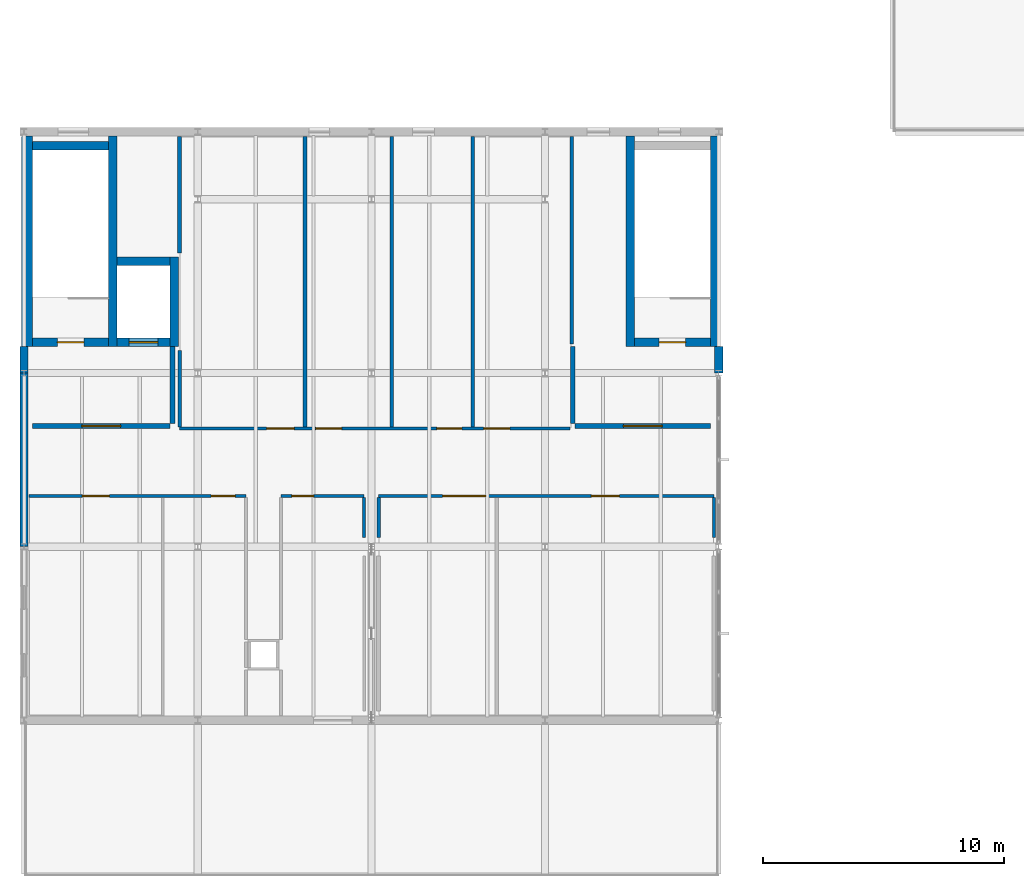
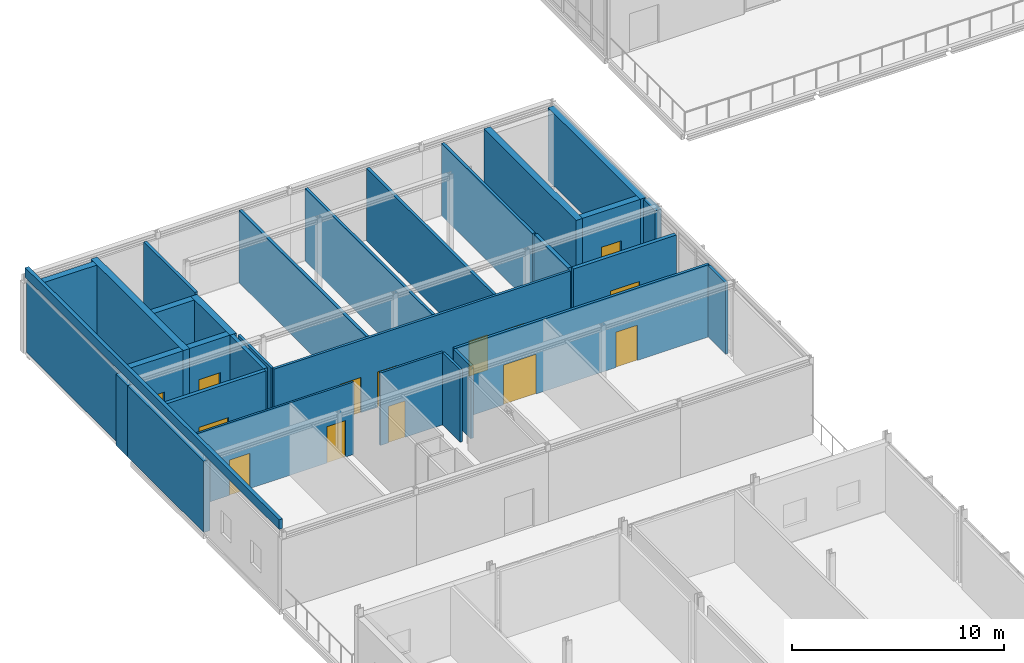
# One storey, part 41 of 53: 31 walls, 14 doors, 14 openings.
"""IFC4 building model written with IfcOpenShell, lengths in metres."""

from ifc_helpers import new_model, si_unit, direction, frame, frame_2d, origin, place, context, subcontext, project, spatial, rectangle, extrude, material, layer, layer_set, type_object, element, fill, save


model = new_model("IFC4")

# Units and contexts
model_context = context("Model", 3, precision=1e-05, world=origin(), true_north=direction((0.0, 1.0)))
body_context = subcontext(model_context, "Body", "Model", "MODEL_VIEW")
ifc_project = project(units=[si_unit("LENGTHUNIT", "METRE"), si_unit("AREAUNIT", "SQUARE_METRE"), si_unit("VOLUMEUNIT", "CUBIC_METRE"), si_unit("PLANEANGLEUNIT", "RADIAN"), si_unit("MASSUNIT", "GRAM", prefix="KILO")], contexts=[model_context])

# Site, building, storey
site_placement = place(None, origin())
site = spatial("IfcSite", under=ifc_project, at=site_placement, CompositionType="ELEMENT")
building_placement = place(site_placement, origin())
building = spatial("IfcBuilding", under=site, at=building_placement, Name="Zarrinpeak Specialist Clinic", CompositionType="ELEMENT")
storey_placement = place(building_placement, frame((0.0, 0.0, 14.0)))
storey = spatial("IfcBuildingStorey", under=building, at=storey_placement, Name="L03", CompositionType="ELEMENT", Elevation=14.0)

# Wall, opening, door
ifc_material_1 = material(Name="Concrete C40/50", Category="concrete")
ifc_layer_1 = layer(ifc_material_1, 0.35009765625)
ifc_layer_set_1 = layer_set([ifc_layer_1], Name="Concrete C40/50")
wall_type_1 = type_object("IfcWallType", Name="WL-CR350", PredefinedType="SHEAR", material=ifc_layer_set_1)
wall_1_placement = place(storey_placement, frame((0.35009765625, 73.27490234375, 0.0), z_axis=(0.0, 0.0, 1.0), x_axis=(1.0, 0.0, 0.0)))
wall_1 = element("IfcWall", 1, at=wall_1_placement, inside=storey, type_object=wall_type_1, Name="L03 Core C09 Shear Wall STS", PredefinedType="SHEAR", context=body_context, shape_type="SweptSolid", body=[
    extrude(rectangle(XDim=3.14990234375, YDim=0.35009765625, at=frame_2d((1.574951171875, 0.0))), origin(), (0.0, 0.0, 1.0), 4.179931640625),
])
opening_1_placement = place(wall_1_placement, frame((1.02490234375, 0.0, 0.0)))
opening_1 = element("IfcOpeningElement", 2, at=opening_1_placement, cuts=wall_1, Name="Opening D-S02", PredefinedType="OPENING", context=body_context, shape_type="SweptSolid", body=[
    extrude(rectangle(XDim=1.10009765625, YDim=2.14990234375, at=frame_2d((0.550048828125, 1.074951171875))), frame((0.0, 0.18505859375, 0.0), z_axis=(0.0, -1.0, 0.0), x_axis=(1.0, 0.0, 0.0)), (0.0, 0.0, 1.0), 0.3701171875),
])
ifc_material_2 = material(Name="Powder-Coated Galvanised Steel", Category="steel")
door_type_1 = type_object("IfcDoorType", Name="DR-FD110", OperationType="SINGLE_SWING_RIGHT", PredefinedType="DOOR", material=ifc_material_2)
door_1_placement = place(opening_1_placement, origin())
door_1 = element("IfcDoor", 3, at=door_1_placement, inside=storey, type_object=door_type_1, Name="L03 Protected Stair ST-09 Fire Door", OperationType="SINGLE_SWING_RIGHT", OverallHeight=2.14990234375, OverallWidth=1.10009765625, PredefinedType="DOOR", context=body_context, shape_type="SweptSolid", body=[
    extrude(rectangle(XDim=1.10009765625, YDim=2.14990234375, at=frame_2d((0.550048828125, 1.074951171875))), frame((0.0, 0.02490234375, 0.0), z_axis=(0.0, -1.0, 0.0), x_axis=(1.0, 0.0, 0.0)), (0.0, 0.0, 1.0), 0.050048828125),
])
fill(opening_1, door_1)

# Walls
wall_2_placement = place(storey_placement, frame((0.35009765625, 81.425048828125, 0.0), z_axis=(0.0, 0.0, 1.0), x_axis=(1.0, 0.0, 0.0)))
element("IfcWall", 4, at=wall_2_placement, inside=storey, type_object=wall_type_1, Name="L03 Core C09 Shear Wall STN", PredefinedType="SHEAR", context=body_context, shape_type="SweptSolid", body=[
    extrude(rectangle(XDim=3.14990234375, YDim=0.35009765625, at=frame_2d((1.574951171875, 0.0))), origin(), (0.0, 0.0, 1.0), 4.179931640625),
])
for number, where, z_axis, x_axis, name in (
    (5, (0.175048828125, 73.10009765625, 0.0), (0.0, 0.0, 1.0), (0.0, 1.0, 0.0), "L03 Core C09 Shear Wall STW"),
    (6, (3.675048828125, 73.10009765625, 0.0), (0.0, 0.0, 1.0), (0.0, 1.0, 0.0), "L03 Core C09 Shear Wall STE"),
):
    element("IfcWall", number, at=place(storey_placement, frame(where, z_axis=z_axis, x_axis=x_axis)), inside=storey, type_object=wall_type_1, Name=name, PredefinedType="SHEAR", context=body_context, shape_type="SweptSolid", body=[
        extrude(rectangle(XDim=8.72998046875, YDim=0.35009765625, at=frame_2d((4.364990234375, 0.0))), origin(), (0.0, 0.0, 1.0), 4.179931640625),
    ])

# Wall, opening, door
wall_3_placement = place(storey_placement, frame((3.85009765625, 73.27490234375, 0.0), z_axis=(0.0, 0.0, 1.0), x_axis=(1.0, 0.0, 0.0)))
wall_3 = element("IfcWall", 7, at=wall_3_placement, inside=storey, type_object=wall_type_1, Name="L03 Lift LF-P5 Shaft Wall LFS", PredefinedType="SHEAR", context=body_context, shape_type="SweptSolid", body=[
    extrude(rectangle(XDim=2.199951171875, YDim=0.35009765625, at=frame_2d((1.10009765625, 0.0))), origin(), (0.0, 0.0, 1.0), 4.179931640625),
])
opening_2_placement = place(wall_3_placement, frame((0.5, 0.0, 0.0)))
opening_2 = element("IfcOpeningElement", 8, at=opening_2_placement, cuts=wall_3, Name="Opening LD-02", PredefinedType="OPENING", context=body_context, shape_type="SweptSolid", body=[
    extrude(rectangle(XDim=1.199951171875, YDim=2.199951171875, at=frame_2d((0.60009765625, 1.10009765625))), frame((0.0, 0.18505859375, 0.0), z_axis=(0.0, -1.0, 0.0), x_axis=(1.0, 0.0, 0.0)), (0.0, 0.0, 1.0), 0.3701171875),
])
door_type_2 = type_object("IfcDoorType", Name="DR-LD120", OperationType="SLIDING_TO_RIGHT", PredefinedType="DOOR", material=ifc_material_2)
door_2_placement = place(opening_2_placement, origin())
door_2 = element("IfcDoor", 9, at=door_2_placement, inside=storey, type_object=door_type_2, Name="L03 Lift LF-P5 Sliding Landing Door", OperationType="SLIDING_TO_RIGHT", OverallHeight=2.199951171875, OverallWidth=1.199951171875, PredefinedType="DOOR", context=body_context, shape_type="SweptSolid", body=[
    extrude(rectangle(XDim=1.199951171875, YDim=2.199951171875, at=frame_2d((0.60009765625, 1.10009765625))), frame((0.0, 0.02490234375, 0.0), z_axis=(0.0, -1.0, 0.0), x_axis=(1.0, 0.0, 0.0)), (0.0, 0.0, 1.0), 0.050048828125),
])
fill(opening_2, door_2)

# Walls
wall_4_placement = place(storey_placement, frame((3.85009765625, 76.625, 0.0), z_axis=(0.0, 0.0, 1.0), x_axis=(1.0, 0.0, 0.0)))
element("IfcWall", 10, at=wall_4_placement, inside=storey, type_object=wall_type_1, Name="L03 Lift LF-P5 Shaft Wall LFN", PredefinedType="SHEAR", context=body_context, shape_type="SweptSolid", body=[
    extrude(rectangle(XDim=2.199951171875, YDim=0.35009765625, at=frame_2d((1.10009765625, 0.0))), origin(), (0.0, 0.0, 1.0), 4.179931640625),
])
wall_5_placement = place(storey_placement, frame((6.22509765625, 73.10009765625, 0.0), z_axis=(0.0, 0.0, 1.0), x_axis=(0.0, 1.0, 0.0)))
element("IfcWall", 11, at=wall_5_placement, inside=storey, type_object=wall_type_1, Name="L03 Lift LF-P5 Shaft Wall LFE", PredefinedType="SHEAR", context=body_context, shape_type="SweptSolid", body=[
    extrude(rectangle(XDim=3.699951171875, YDim=0.35009765625, at=frame_2d((1.85009765625, 0.0))), origin(), (0.0, 0.0, 1.0), 4.179931640625),
])

# Wall, opening, door
wall_6_placement = place(storey_placement, frame((25.300048828125, 73.27490234375, 0.0), z_axis=(0.0, 0.0, 1.0), x_axis=(1.0, 0.0, 0.0)))
wall_6 = element("IfcWall", 12, at=wall_6_placement, inside=storey, type_object=wall_type_1, Name="L03 Core C10 Shear Wall STS", PredefinedType="SHEAR", context=body_context, shape_type="SweptSolid", body=[
    extrude(rectangle(XDim=3.14990234375, YDim=0.35009765625, at=frame_2d((1.574951171875, 0.0))), origin(), (0.0, 0.0, 1.0), 4.179931640625),
])
opening_3_placement = place(wall_6_placement, frame((1.02490234375, 0.0, 0.0)))
opening_3 = element("IfcOpeningElement", 13, at=opening_3_placement, cuts=wall_6, Name="Opening D-S02", PredefinedType="OPENING", context=body_context, shape_type="SweptSolid", body=[
    extrude(rectangle(XDim=1.10009765625, YDim=2.14990234375, at=frame_2d((0.550048828125, 1.074951171875))), frame((0.0, 0.18505859375, 0.0), z_axis=(0.0, -1.0, 0.0), x_axis=(1.0, 0.0, 0.0)), (0.0, 0.0, 1.0), 0.3701171875),
])
door_3_placement = place(opening_3_placement, origin())
door_3 = element("IfcDoor", 14, at=door_3_placement, inside=storey, type_object=door_type_1, Name="L03 Protected Stair ST-10 Fire Door", OperationType="SINGLE_SWING_RIGHT", OverallHeight=2.14990234375, OverallWidth=1.10009765625, PredefinedType="DOOR", context=body_context, shape_type="SweptSolid", body=[
    extrude(rectangle(XDim=1.10009765625, YDim=2.14990234375, at=frame_2d((0.550048828125, 1.074951171875))), frame((0.0, 0.02490234375, 0.0), z_axis=(0.0, -1.0, 0.0), x_axis=(1.0, 0.0, 0.0)), (0.0, 0.0, 1.0), 0.050048828125),
])
fill(opening_3, door_3)

# Walls
for number, where, z_axis, x_axis, name in (
    (15, (25.125, 73.10009765625, 0.0), (0.0, 0.0, 1.0), (0.0, 1.0, 0.0), "L03 Core C10 Shear Wall STW"),
    (16, (28.625, 73.10009765625, 0.0), (0.0, 0.0, 1.0), (0.0, 1.0, 0.0), "L03 Core C10 Shear Wall STE"),
):
    element("IfcWall", number, at=place(storey_placement, frame(where, z_axis=z_axis, x_axis=x_axis)), inside=storey, type_object=wall_type_1, Name=name, PredefinedType="SHEAR", context=body_context, shape_type="SweptSolid", body=[
        extrude(rectangle(XDim=8.72998046875, YDim=0.35009765625, at=frame_2d((4.364990234375, 0.0))), origin(), (0.0, 0.0, 1.0), 4.179931640625),
    ])
ifc_material_3 = material(Name="Precast concrete C40/50", Category="concrete")
ifc_layer_2 = layer(ifc_material_3, 0.340087890625)
ifc_layer_set_2 = layer_set([ifc_layer_2], Name="Precast concrete C40/50")
wall_type_2 = type_object("IfcWallType", Name="WL-EW340", PredefinedType="STANDARD", material=ifc_layer_set_2)
wall_7_placement = place(storey_placement, frame((0.0, 72.0, 0.0), z_axis=(0.0, 0.0, 1.0), x_axis=(0.0, -1.0, 0.0)))
element("IfcWall", 17, at=wall_7_placement, inside=storey, type_object=wall_type_2, Name="L03 V5 Exterior GRC Wall EW-L03-V5-0262", PredefinedType="STANDARD", context=body_context, shape_type="SweptSolid", body=[
    extrude(rectangle(XDim=7.199951171875, YDim=0.340087890625, at=frame_2d((3.60009765625, 0.0))), origin(), (0.0, 0.0, 1.0), 4.110107421875),
])
for number, where, z_axis, x_axis, name in (
    (18, (0.0, 73.10009765625, 0.0), (0.0, 0.0, 1.0), (0.0, -1.0, 0.0), "L03 V5 Exterior GRC Wall EW-L03-V5-0263"),
    (19, (28.800048828125, 72.0, 0.0), (0.0, 0.0, 1.0), (0.0, 1.0, 0.0), "L03 V5 Exterior GRC Wall EW-L03-V5-0264"),
):
    element("IfcWall", number, at=place(storey_placement, frame(where, z_axis=z_axis, x_axis=x_axis)), inside=storey, type_object=wall_type_2, Name=name, PredefinedType="STANDARD", context=body_context, shape_type="SweptSolid", body=[
        extrude(rectangle(XDim=1.10009765625, YDim=0.340087890625, at=frame_2d((0.550048828125, 0.0))), origin(), (0.0, 0.0, 1.0), 4.110107421875),
    ])

# Wall, openings, doors
ifc_material_4 = material(Name="Sanitary Service Chase Plumbing Wall", Category="gypsum")
ifc_layer_3 = layer(ifc_material_4, 0.110107421875)
ifc_layer_set_3 = layer_set([ifc_layer_3], Name="Sanitary Service Chase Plumbing Wall")
wall_type_3 = type_object("IfcWallType", Name="WL-IW110", PredefinedType="PARTITIONING", material=ifc_layer_set_3)
wall_8_placement = place(storey_placement, frame((0.199951171875, 66.89990234375, 0.0), z_axis=(0.0, 0.0, 1.0), x_axis=(1.0, 0.0, 0.0)))
wall_8 = element("IfcWall", 20, at=wall_8_placement, inside=storey, type_object=wall_type_3, Name="L03 Accessible Patient WC Partition", PredefinedType="PARTITIONING", context=body_context, shape_type="SweptSolid", body=[
    extrude(rectangle(XDim=9.0, YDim=0.110107421875, at=frame_2d((4.5, 0.0))), origin(), (0.0, 0.0, 1.0), 4.179931640625),
])
opening_4_placement = place(wall_8_placement, frame((7.550048828125, 0.0, 0.0)))
opening_4 = element("IfcOpeningElement", 21, at=opening_4_placement, cuts=wall_8, Name="Opening D-W02", PredefinedType="OPENING", context=body_context, shape_type="SweptSolid", body=[
    extrude(rectangle(XDim=1.0, YDim=2.10009765625, at=frame_2d((0.5, 1.050048828125))), frame((0.0, 0.06494140625, 0.0), z_axis=(0.0, -1.0, 0.0), x_axis=(1.0, 0.0, 0.0)), (0.0, 0.0, 1.0), 0.130126953125),
])
opening_5_placement = place(wall_8_placement, frame((2.218017578125, 0.0, 0.0)))
opening_5 = element("IfcOpeningElement", 22, at=opening_5_placement, cuts=wall_8, Name="Opening DS-10", PredefinedType="OPENING", context=body_context, shape_type="SweptSolid", body=[
    extrude(rectangle(XDim=1.114013671875, YDim=2.0400390625, at=frame_2d((0.55712890625, 1.02001953125))), frame((0.0, 0.06494140625, 0.0), z_axis=(0.0, -1.0, 0.0), x_axis=(1.0, 0.0, 0.0)), (0.0, 0.0, 1.0), 0.130126953125),
])
door_type_3 = type_object("IfcDoorType", Name="DR-AWC100", OperationType="SLIDING_TO_LEFT", PredefinedType="DOOR", material=ifc_material_2)
door_4_placement = place(opening_4_placement, origin())
door_4 = element("IfcDoor", 23, at=door_4_placement, inside=storey, type_object=door_type_3, Name="L03 Accessible Patient WC Door", OperationType="SLIDING_TO_LEFT", OverallHeight=2.10009765625, OverallWidth=1.0, PredefinedType="DOOR", context=body_context, shape_type="SweptSolid", body=[
    extrude(rectangle(XDim=1.0, YDim=2.10009765625, at=frame_2d((0.5, 1.050048828125))), frame((0.0, 0.02490234375, 0.0), z_axis=(0.0, -1.0, 0.0), x_axis=(1.0, 0.0, 0.0)), (0.0, 0.0, 1.0), 0.050048828125),
])
fill(opening_4, door_4)
door_type_4 = type_object("IfcDoorType", Name="DR-SP10", OperationType="SINGLE_SWING_LEFT", PredefinedType="DOOR", material=ifc_material_2)
door_5_placement = place(opening_5_placement, origin())
door_5 = element("IfcDoor", 24, at=door_5_placement, inside=storey, type_object=door_type_4, Name="L03 Specialist Consultation Room 2 Door", OperationType="SINGLE_SWING_LEFT", OverallHeight=2.0400390625, OverallWidth=1.114013671875, PredefinedType="DOOR", context=body_context, shape_type="SweptSolid", body=[
    extrude(rectangle(XDim=1.114013671875, YDim=2.0400390625, at=frame_2d((0.55712890625, 1.02001953125))), frame((0.0, 0.02490234375, 0.0), z_axis=(0.0, -1.0, 0.0), x_axis=(1.0, 0.0, 0.0)), (0.0, 0.0, 1.0), 0.050048828125),
])
fill(opening_5, door_5)

# Wall, opening, door
ifc_material_5 = material(Name="Moisture-Resistant Wet-Room Partition", Category="gypsum")
ifc_layer_4 = layer(ifc_material_5, 0.125)
ifc_layer_set_4 = layer_set([ifc_layer_4], Name="Moisture-Resistant Wet-Room Partition")
wall_type_4 = type_object("IfcWallType", Name="WL-IW125W", PredefinedType="PARTITIONING", material=ifc_layer_set_4)
wall_9_placement = place(storey_placement, frame((10.64990234375, 66.89990234375, 0.0), z_axis=(0.0, 0.0, 1.0), x_axis=(1.0, 0.0, 0.0)))
wall_9 = element("IfcWall", 25, at=wall_9_placement, inside=storey, type_object=wall_type_4, Name="L03 Staff WC Partition", PredefinedType="PARTITIONING", context=body_context, shape_type="SweptSolid", body=[
    extrude(rectangle(XDim=3.4501953125, YDim=0.125, at=frame_2d((1.72509765625, 0.0))), origin(), (0.0, 0.0, 1.0), 4.179931640625),
])
opening_6_placement = place(wall_9_placement, frame((0.449951171875, 0.0, 0.0)))
opening_6 = element("IfcOpeningElement", 26, at=opening_6_placement, cuts=wall_9, Name="Opening D-W01", PredefinedType="OPENING", context=body_context, shape_type="SweptSolid", body=[
    extrude(rectangle(XDim=0.89990234375, YDim=2.10009765625, at=frame_2d((0.449951171875, 1.050048828125))), frame((0.0, 0.072509765625, 0.0), z_axis=(0.0, -1.0, 0.0), x_axis=(1.0, 0.0, 0.0)), (0.0, 0.0, 1.0), 0.14501953125),
])
door_type_5 = type_object("IfcDoorType", Name="DR-WC90", OperationType="SINGLE_SWING_RIGHT", PredefinedType="DOOR", material=ifc_material_2)
door_6_placement = place(opening_6_placement, origin())
door_6 = element("IfcDoor", 27, at=door_6_placement, inside=storey, type_object=door_type_5, Name="L03 Staff WC Door", OperationType="SINGLE_SWING_RIGHT", OverallHeight=2.10009765625, OverallWidth=0.89990234375, PredefinedType="DOOR", context=body_context, shape_type="SweptSolid", body=[
    extrude(rectangle(XDim=0.89990234375, YDim=2.10009765625, at=frame_2d((0.449951171875, 1.050048828125))), frame((0.0, 0.02490234375, 0.0), z_axis=(0.0, -1.0, 0.0), x_axis=(1.0, 0.0, 0.0)), (0.0, 0.0, 1.0), 0.050048828125),
])
fill(opening_6, door_6)

# Wall
wall_10_placement = place(storey_placement, frame((14.10009765625, 65.179931640625, 0.0), z_axis=(0.0, 0.0, 1.0), x_axis=(0.0, 1.0, 0.0)))
element("IfcWall", 28, at=wall_10_placement, inside=storey, type_object=wall_type_4, Name="L03 Staff WC Dividing Partition", PredefinedType="PARTITIONING", context=body_context, shape_type="SweptSolid", body=[
    extrude(rectangle(XDim=1.657470703125, YDim=0.125, at=frame_2d((0.82861328125, 0.0))), origin(), (0.0, 0.0, 1.0), 4.179931640625),
])

# Wall, openings, doors
ifc_material_6 = material(Name="Standard Drywall Partition", Category="gypsum")
ifc_layer_5 = layer(ifc_material_6, 0.135009765625)
ifc_layer_set_5 = layer_set([ifc_layer_5], Name="Standard Drywall Partition")
wall_type_5 = type_object("IfcWallType", Name="WL-IW135", PredefinedType="PARTITIONING", material=ifc_layer_set_5)
wall_11_placement = place(storey_placement, frame((6.449951171875, 69.699951171875, 0.0), z_axis=(0.0, 0.0, 1.0), x_axis=(1.0, 0.0, 0.0)))
wall_11 = element("IfcWall", 29, at=wall_11_placement, inside=storey, type_object=wall_type_5, Name="L03 Oncology Clinical Trials Office Partition", PredefinedType="PARTITIONING", context=body_context, shape_type="SweptSolid", body=[
    extrude(rectangle(XDim=16.179931640625, YDim=0.135009765625, at=frame_2d((8.08984375, 0.0))), origin(), (0.0, 0.0, 1.0), 4.179931640625),
])
opening_7_placement = place(wall_11_placement, frame((10.6640625, 0.0, 0.0)))
opening_7 = element("IfcOpeningElement", 30, at=opening_7_placement, cuts=wall_11, Name="Opening DS-07", PredefinedType="OPENING", context=body_context, shape_type="SweptSolid", body=[
    extrude(rectangle(XDim=1.035888671875, YDim=2.0400390625, at=frame_2d((0.51806640625, 1.02001953125))), frame((0.0, 0.07763671875, 0.0), z_axis=(0.0, -1.0, 0.0), x_axis=(1.0, 0.0, 0.0)), (0.0, 0.0, 1.0), 0.155029296875),
])
opening_8_placement = place(wall_11_placement, frame((5.64990234375, 0.0, 0.0)))
opening_8 = element("IfcOpeningElement", 31, at=opening_8_placement, cuts=wall_11, Name="Opening DS-08", PredefinedType="OPENING", context=body_context, shape_type="SweptSolid", body=[
    extrude(rectangle(XDim=1.06201171875, YDim=2.0400390625, at=frame_2d((0.531005859375, 1.02001953125))), frame((0.0, 0.07763671875, 0.0), z_axis=(0.0, -1.0, 0.0), x_axis=(1.0, 0.0, 0.0)), (0.0, 0.0, 1.0), 0.155029296875),
])
opening_9_placement = place(wall_11_placement, frame((12.60009765625, 0.0, 0.0)))
opening_9 = element("IfcOpeningElement", 32, at=opening_9_placement, cuts=wall_11, Name="Opening DS-09", PredefinedType="OPENING", context=body_context, shape_type="SweptSolid", body=[
    extrude(rectangle(XDim=1.087890625, YDim=2.0400390625, at=frame_2d((0.5439453125, 1.02001953125))), frame((0.0, 0.07763671875, 0.0), z_axis=(0.0, -1.0, 0.0), x_axis=(1.0, 0.0, 0.0)), (0.0, 0.0, 1.0), 0.155029296875),
])
opening_10_placement = place(wall_11_placement, frame((3.610107421875, 0.0, 0.0)))
opening_10 = element("IfcOpeningElement", 33, at=opening_10_placement, cuts=wall_11, Name="Opening DS-11", PredefinedType="OPENING", context=body_context, shape_type="SweptSolid", body=[
    extrude(rectangle(XDim=1.139892578125, YDim=2.0400390625, at=frame_2d((0.56982421875, 1.02001953125))), frame((0.0, 0.07763671875, 0.0), z_axis=(0.0, -1.0, 0.0), x_axis=(1.0, 0.0, 0.0)), (0.0, 0.0, 1.0), 0.155029296875),
])
door_type_6 = type_object("IfcDoorType", Name="DR-SP07", OperationType="SINGLE_SWING_RIGHT", PredefinedType="DOOR", material=ifc_material_2)
door_7_placement = place(opening_7_placement, frame((1.035888671875, 0.0, 0.0), z_axis=(0.0, 0.0, 1.0), x_axis=(-1.0, 0.0, 0.0)))
door_7 = element("IfcDoor", 34, at=door_7_placement, inside=storey, type_object=door_type_6, Name="L03 Oncology Clinical Trials Office Door", OperationType="SINGLE_SWING_RIGHT", OverallHeight=2.0400390625, OverallWidth=1.035888671875, PredefinedType="DOOR", context=body_context, shape_type="SweptSolid", body=[
    extrude(rectangle(XDim=1.035888671875, YDim=2.0400390625, at=frame_2d((0.51806640625, 1.02001953125))), frame((0.0, 0.02490234375, 0.0), z_axis=(0.0, -1.0, 0.0), x_axis=(1.0, 0.0, 0.0)), (0.0, 0.0, 1.0), 0.050048828125),
])
fill(opening_7, door_7)
door_type_7 = type_object("IfcDoorType", Name="DR-SP08", OperationType="SINGLE_SWING_LEFT", PredefinedType="DOOR", material=ifc_material_2)
door_8_placement = place(opening_8_placement, frame((1.06201171875, 0.0, 0.0), z_axis=(0.0, 0.0, 1.0), x_axis=(-1.0, 0.0, 0.0)))
door_8 = element("IfcDoor", 35, at=door_8_placement, inside=storey, type_object=door_type_7, Name="L03 Palliative Supportive Care Suite Door", OperationType="SINGLE_SWING_LEFT", OverallHeight=2.0400390625, OverallWidth=1.06201171875, PredefinedType="DOOR", context=body_context, shape_type="SweptSolid", body=[
    extrude(rectangle(XDim=1.06201171875, YDim=2.0400390625, at=frame_2d((0.531005859375, 1.02001953125))), frame((0.0, 0.02490234375, 0.0), z_axis=(0.0, -1.0, 0.0), x_axis=(1.0, 0.0, 0.0)), (0.0, 0.0, 1.0), 0.050048828125),
])
fill(opening_8, door_8)
door_type_8 = type_object("IfcDoorType", Name="DR-SP09", OperationType="SINGLE_SWING_RIGHT", PredefinedType="DOOR", material=ifc_material_2)
door_9_placement = place(opening_9_placement, frame((1.087890625, 0.0, 0.0), z_axis=(0.0, 0.0, 1.0), x_axis=(-1.0, 0.0, 0.0)))
door_9 = element("IfcDoor", 36, at=door_9_placement, inside=storey, type_object=door_type_8, Name="L03 Specialist Consultation Room 1 Door", OperationType="SINGLE_SWING_RIGHT", OverallHeight=2.0400390625, OverallWidth=1.087890625, PredefinedType="DOOR", context=body_context, shape_type="SweptSolid", body=[
    extrude(rectangle(XDim=1.087890625, YDim=2.0400390625, at=frame_2d((0.5439453125, 1.02001953125))), frame((0.0, 0.02490234375, 0.0), z_axis=(0.0, -1.0, 0.0), x_axis=(1.0, 0.0, 0.0)), (0.0, 0.0, 1.0), 0.050048828125),
])
fill(opening_9, door_9)
door_type_9 = type_object("IfcDoorType", Name="DR-SP11", OperationType="SINGLE_SWING_RIGHT", PredefinedType="DOOR", material=ifc_material_2)
door_10_placement = place(opening_10_placement, frame((1.139892578125, 0.0, 0.0), z_axis=(0.0, 0.0, 1.0), x_axis=(-1.0, 0.0, 0.0)))
door_10 = element("IfcDoor", 37, at=door_10_placement, inside=storey, type_object=door_type_9, Name="L03 Specialist Consultation Room 3 Door", OperationType="SINGLE_SWING_RIGHT", OverallHeight=2.0400390625, OverallWidth=1.139892578125, PredefinedType="DOOR", context=body_context, shape_type="SweptSolid", body=[
    extrude(rectangle(XDim=1.139892578125, YDim=2.0400390625, at=frame_2d((0.56982421875, 1.02001953125))), frame((0.0, 0.02490234375, 0.0), z_axis=(0.0, -1.0, 0.0), x_axis=(1.0, 0.0, 0.0)), (0.0, 0.0, 1.0), 0.050048828125),
])
fill(opening_10, door_10)

# Walls
wall_12_placement = place(storey_placement, frame((6.449951171875, 69.767578125, 0.0), z_axis=(0.0, 0.0, 1.0), x_axis=(0.0, 1.0, 0.0)))
element("IfcWall", 38, at=wall_12_placement, inside=storey, type_object=wall_type_5, Name="L03 Specialist Consultation Room 3 Dividing Partition", PredefinedType="PARTITIONING", context=body_context, shape_type="SweptSolid", body=[
    extrude(rectangle(XDim=3.157470703125, YDim=0.135009765625, at=frame_2d((1.57861328125, 0.0))), origin(), (0.0, 0.0, 1.0), 4.179931640625),
])
wall_13_placement = place(storey_placement, frame((28.60009765625, 65.179931640625, 0.0), z_axis=(0.0, 0.0, 1.0), x_axis=(0.0, 1.0, 0.0)))
element("IfcWall", 39, at=wall_13_placement, inside=storey, type_object=wall_type_5, Name="L03 Specialist Consultation Room 4 Dividing Partition", PredefinedType="PARTITIONING", context=body_context, shape_type="SweptSolid", body=[
    extrude(rectangle(XDim=1.649169921875, YDim=0.135009765625, at=frame_2d((0.82470703125, 0.0))), origin(), (0.0, 0.0, 1.0), 4.110107421875),
])

# Wall, openings, doors
ifc_material_7 = material(Name="Acoustic Consultation Stud Partition", Category="gypsum")
ifc_layer_6 = layer(ifc_material_7, 0.14208984375)
ifc_layer_set_6 = layer_set([ifc_layer_6], Name="Acoustic Consultation Stud Partition")
wall_type_6 = type_object("IfcWallType", Name="WL-IW142", PredefinedType="PARTITIONING", material=ifc_layer_set_6)
wall_14_placement = place(storey_placement, frame((14.699951171875, 66.89990234375, 0.0), z_axis=(0.0, 0.0, 1.0), x_axis=(1.0, 0.0, 0.0)))
wall_14 = element("IfcWall", 40, at=wall_14_placement, inside=storey, type_object=wall_type_6, Name="L03 Patient Support Seminar Lounge Partition", PredefinedType="PARTITIONING", context=body_context, shape_type="SweptSolid", body=[
    extrude(rectangle(XDim=13.900146484375, YDim=0.14208984375, at=frame_2d((6.9501953125, 0.0))), origin(), (0.0, 0.0, 1.0), 4.179931640625),
])
opening_11_placement = place(wall_14_placement, frame((2.64990234375, 0.0, 0.0)))
opening_11 = element("IfcOpeningElement", 41, at=opening_11_placement, cuts=wall_14, Name="Opening D-H01", PredefinedType="OPENING", context=body_context, shape_type="SweptSolid", body=[
    extrude(rectangle(XDim=1.800048828125, YDim=2.300048828125, at=frame_2d((0.89990234375, 1.14990234375))), frame((0.0, 0.0810546875, 0.0), z_axis=(0.0, -1.0, 0.0), x_axis=(1.0, 0.0, 0.0)), (0.0, 0.0, 1.0), 0.162109375),
])
opening_12_placement = place(wall_14_placement, frame((8.81689453125, 0.0, 0.0)))
opening_12 = element("IfcOpeningElement", 42, at=opening_12_placement, cuts=wall_14, Name="Opening DS-12", PredefinedType="OPENING", context=body_context, shape_type="SweptSolid", body=[
    extrude(rectangle(XDim=1.166015625, YDim=2.0400390625, at=frame_2d((0.5830078125, 1.02001953125))), frame((0.0, 0.0810546875, 0.0), z_axis=(0.0, -1.0, 0.0), x_axis=(1.0, 0.0, 0.0)), (0.0, 0.0, 1.0), 0.162109375),
])
door_type_10 = type_object("IfcDoorType", Name="DR-HAL180", OperationType="DOUBLE_DOOR_SINGLE_SWING", PredefinedType="DOOR", material=ifc_material_2)
door_11_placement = place(opening_11_placement, origin())
door_11 = element("IfcDoor", 43, at=door_11_placement, inside=storey, type_object=door_type_10, Name="L03 Patient Support Seminar Lounge Door", OperationType="DOUBLE_DOOR_SINGLE_SWING", OverallHeight=2.300048828125, OverallWidth=1.800048828125, PredefinedType="DOOR", context=body_context, shape_type="SweptSolid", body=[
    extrude(rectangle(XDim=1.800048828125, YDim=2.300048828125, at=frame_2d((0.89990234375, 1.14990234375))), frame((0.0, 0.02490234375, 0.0), z_axis=(0.0, -1.0, 0.0), x_axis=(1.0, 0.0, 0.0)), (0.0, 0.0, 1.0), 0.050048828125),
])
fill(opening_11, door_11)
door_type_11 = type_object("IfcDoorType", Name="DR-SP12", OperationType="SINGLE_SWING_LEFT", PredefinedType="DOOR", material=ifc_material_2)
door_12_placement = place(opening_12_placement, origin())
door_12 = element("IfcDoor", 44, at=door_12_placement, inside=storey, type_object=door_type_11, Name="L03 Specialist Consultation Room 4 Door", OperationType="SINGLE_SWING_LEFT", OverallHeight=2.0400390625, OverallWidth=1.166015625, PredefinedType="DOOR", context=body_context, shape_type="SweptSolid", body=[
    extrude(rectangle(XDim=1.166015625, YDim=2.0400390625, at=frame_2d((0.5830078125, 1.02001953125))), frame((0.0, 0.02490234375, 0.0), z_axis=(0.0, -1.0, 0.0), x_axis=(1.0, 0.0, 0.0)), (0.0, 0.0, 1.0), 0.050048828125),
])
fill(opening_12, door_12)

# Walls
wall_15_placement = place(storey_placement, frame((15.25, 69.767578125, 0.0), z_axis=(0.0, 0.0, 1.0), x_axis=(0.0, 1.0, 0.0)))
element("IfcWall", 45, at=wall_15_placement, inside=storey, type_object=wall_type_6, Name="L03 Oncology Clinical Trials Office Dividing Partition", PredefinedType="PARTITIONING", context=body_context, shape_type="SweptSolid", body=[
    extrude(rectangle(XDim=12.032470703125, YDim=0.14208984375, at=frame_2d((6.01611328125, 0.0))), origin(), (0.0, 0.0, 1.0), 4.179931640625),
])
ifc_material_8 = material(Name="Insulated Clinical Gypsum Stud Partition", Category="gypsum")
ifc_layer_7 = layer(ifc_material_8, 0.14990234375)
ifc_layer_set_7 = layer_set([ifc_layer_7], Name="Insulated Clinical Gypsum Stud Partition")
wall_type_7 = type_object("IfcWallType", Name="WL-IW150", PredefinedType="PARTITIONING", material=ifc_layer_set_7)
wall_16_placement = place(storey_placement, frame((14.699951171875, 65.179931640625, 0.0), z_axis=(0.0, 0.0, 1.0), x_axis=(0.0, 1.0, 0.0)))
element("IfcWall", 46, at=wall_16_placement, inside=storey, type_object=wall_type_7, Name="L03 Patient Support Seminar Lounge Dividing Partition", PredefinedType="PARTITIONING", context=body_context, shape_type="SweptSolid", body=[
    extrude(rectangle(XDim=1.649169921875, YDim=0.14990234375, at=frame_2d((0.82470703125, 0.0))), origin(), (0.0, 0.0, 1.0), 4.179931640625),
])
wall_17_placement = place(storey_placement, frame((22.699951171875, 73.199951171875, 0.0), z_axis=(0.0, 0.0, 1.0), x_axis=(0.0, 1.0, 0.0)))
element("IfcWall", 47, at=wall_17_placement, inside=storey, type_object=wall_type_7, Name="L03 Specialist Consultation Room 1 Dividing Partition", PredefinedType="PARTITIONING", context=body_context, shape_type="SweptSolid", body=[
    extrude(rectangle(XDim=8.60009765625, YDim=0.14990234375, at=frame_2d((4.300048828125, 0.0))), origin(), (0.0, 0.0, 1.0), 4.179931640625),
])
ifc_material_9 = material(Name="Acoustic Double Gypsum Stud Partition", Category="gypsum")
ifc_layer_8 = layer(ifc_material_9, 0.159912109375)
ifc_layer_set_8 = layer_set([ifc_layer_8], Name="Acoustic Double Gypsum Stud Partition")
wall_type_8 = type_object("IfcWallType", Name="WL-IW160", PredefinedType="PARTITIONING", material=ifc_layer_set_8)
wall_18_placement = place(storey_placement, frame((6.449951171875, 76.97509765625, 0.0), z_axis=(0.0, 0.0, 1.0), x_axis=(0.0, 1.0, 0.0)))
element("IfcWall", 48, at=wall_18_placement, inside=storey, type_object=wall_type_8, Name="L03 Specialist Consultation Room 3 Dividing Partition", PredefinedType="PARTITIONING", context=body_context, shape_type="SweptSolid", body=[
    extrude(rectangle(XDim=4.824951171875, YDim=0.159912109375, at=frame_2d((2.41259765625, 0.0))), origin(), (0.0, 0.0, 1.0), 4.179931640625),
])
for number, where, z_axis, x_axis, name in (
    (49, (11.64990234375, 69.767578125, 0.0), (0.0, 0.0, 1.0), (0.0, 1.0, 0.0), "L03 Palliative Supportive Care Suite Dividing Partition"),
    (50, (18.60009765625, 69.767578125, 0.0), (0.0, 0.0, 1.0), (0.0, 1.0, 0.0), "L03 Oncology Clinical Trials Office Dividing Partition"),
):
    element("IfcWall", number, at=place(storey_placement, frame(where, z_axis=z_axis, x_axis=x_axis)), inside=storey, type_object=wall_type_8, Name=name, PredefinedType="PARTITIONING", context=body_context, shape_type="SweptSolid", body=[
        extrude(rectangle(XDim=12.032470703125, YDim=0.159912109375, at=frame_2d((6.01611328125, 0.0))), origin(), (0.0, 0.0, 1.0), 4.179931640625),
    ])

# Wall, opening, door
ifc_material_10 = material(Name="Autoclaved Aerated Concrete Blockwork", Category="masonry")
ifc_layer_9 = layer(ifc_material_10, 0.199951171875)
ifc_layer_set_9 = layer_set([ifc_layer_9], Name="Autoclaved Aerated Concrete Blockwork")
wall_type_9 = type_object("IfcWallType", Name="WL-IW200", PredefinedType="PARTITIONING", material=ifc_layer_set_9)
wall_19_placement = place(storey_placement, frame((0.35009765625, 69.800048828125, 0.0), z_axis=(0.0, 0.0, 1.0), x_axis=(1.0, 0.0, 0.0)))
wall_19 = element("IfcWall", 51, at=wall_19_placement, inside=storey, type_object=wall_type_9, Name="L03 C09 Protected Lobby Partition LBF", PredefinedType="PARTITIONING", context=body_context, shape_type="SweptSolid", body=[
    extrude(rectangle(XDim=5.699951171875, YDim=0.199951171875, at=frame_2d((2.85009765625, 0.0))), origin(), (0.0, 0.0, 1.0), 4.179931640625),
])
opening_13_placement = place(wall_19_placement, frame((2.050048828125, 0.0, 0.0)))
opening_13 = element("IfcOpeningElement", 52, at=opening_13_placement, cuts=wall_19, Name="Opening D-L01", PredefinedType="OPENING", context=body_context, shape_type="SweptSolid", body=[
    extrude(rectangle(XDim=1.60009765625, YDim=2.199951171875, at=frame_2d((0.800048828125, 1.10009765625))), frame((0.0, 0.10986328125, 0.0), z_axis=(0.0, -1.0, 0.0), x_axis=(1.0, 0.0, 0.0)), (0.0, 0.0, 1.0), 0.219970703125),
])
door_type_12 = type_object("IfcDoorType", Name="DR-LB160", OperationType="DOUBLE_DOOR_SINGLE_SWING", PredefinedType="DOOR", material=ifc_material_2)
door_13_placement = place(opening_13_placement, origin())
door_13 = element("IfcDoor", 53, at=door_13_placement, inside=storey, type_object=door_type_12, Name="L03 C09 Lobby Hold-Open Fire Door", OperationType="DOUBLE_DOOR_SINGLE_SWING", OverallHeight=2.199951171875, OverallWidth=1.60009765625, PredefinedType="DOOR", context=body_context, shape_type="SweptSolid", body=[
    extrude(rectangle(XDim=1.60009765625, YDim=2.199951171875, at=frame_2d((0.800048828125, 1.10009765625))), frame((0.0, 0.02490234375, 0.0), z_axis=(0.0, -1.0, 0.0), x_axis=(1.0, 0.0, 0.0)), (0.0, 0.0, 1.0), 0.050048828125),
])
fill(opening_13, door_13)

# Wall
wall_20_placement = place(storey_placement, frame((6.14990234375, 69.89990234375, 0.0), z_axis=(0.0, 0.0, 1.0), x_axis=(0.0, 1.0, 0.0)))
element("IfcWall", 54, at=wall_20_placement, inside=storey, type_object=wall_type_9, Name="L03 C09 Protected Lobby Partition LBE", PredefinedType="PARTITIONING", context=body_context, shape_type="SweptSolid", body=[
    extrude(rectangle(XDim=3.2001953125, YDim=0.199951171875, at=frame_2d((1.60009765625, 0.0))), origin(), (0.0, 0.0, 1.0), 4.179931640625),
])

# Wall, opening, door
wall_21_placement = place(storey_placement, frame((22.85009765625, 69.800048828125, 0.0), z_axis=(0.0, 0.0, 1.0), x_axis=(1.0, 0.0, 0.0)))
wall_21 = element("IfcWall", 55, at=wall_21_placement, inside=storey, type_object=wall_type_9, Name="L03 C10 Protected Lobby Partition LBF", PredefinedType="PARTITIONING", context=body_context, shape_type="SweptSolid", body=[
    extrude(rectangle(XDim=5.599853515625, YDim=0.199951171875, at=frame_2d((2.7998046875, 0.0))), origin(), (0.0, 0.0, 1.0), 4.179931640625),
])
opening_14_placement = place(wall_21_placement, frame((2.0, 0.0, 0.0)))
opening_14 = element("IfcOpeningElement", 56, at=opening_14_placement, cuts=wall_21, Name="Opening D-L01", PredefinedType="OPENING", context=body_context, shape_type="SweptSolid", body=[
    extrude(rectangle(XDim=1.60009765625, YDim=2.199951171875, at=frame_2d((0.800048828125, 1.10009765625))), frame((0.0, 0.10986328125, 0.0), z_axis=(0.0, -1.0, 0.0), x_axis=(1.0, 0.0, 0.0)), (0.0, 0.0, 1.0), 0.219970703125),
])
door_14_placement = place(opening_14_placement, origin())
door_14 = element("IfcDoor", 57, at=door_14_placement, inside=storey, type_object=door_type_12, Name="L03 C10 Lobby Hold-Open Fire Door", OperationType="DOUBLE_DOOR_SINGLE_SWING", OverallHeight=2.199951171875, OverallWidth=1.60009765625, PredefinedType="DOOR", context=body_context, shape_type="SweptSolid", body=[
    extrude(rectangle(XDim=1.60009765625, YDim=2.199951171875, at=frame_2d((0.800048828125, 1.10009765625))), frame((0.0, 0.02490234375, 0.0), z_axis=(0.0, -1.0, 0.0), x_axis=(1.0, 0.0, 0.0)), (0.0, 0.0, 1.0), 0.050048828125),
])
fill(opening_14, door_14)

# Walls
wall_22_placement = place(storey_placement, frame((22.75, 69.89990234375, 0.0), z_axis=(0.0, 0.0, 1.0), x_axis=(0.0, 1.0, 0.0)))
element("IfcWall", 58, at=wall_22_placement, inside=storey, type_object=wall_type_9, Name="L03 C10 Protected Lobby Partition LBW", PredefinedType="PARTITIONING", context=body_context, shape_type="SweptSolid", body=[
    extrude(rectangle(XDim=3.2001953125, YDim=0.199951171875, at=frame_2d((1.60009765625, 0.0))), origin(), (0.0, 0.0, 1.0), 4.179931640625),
])
ifc_layer_10 = layer(ifc_material_3, 0.199951171875)
ifc_layer_set_10 = layer_set([ifc_layer_10], Name="Precast concrete C40/50")
wall_type_10 = type_object("IfcWallType", Name="WL-PAR200", PredefinedType="PARAPET", material=ifc_layer_set_10)
wall_23_placement = place(storey_placement, frame((0.0, 57.800048828125, 4.39990234375), z_axis=(0.0, 0.0, 1.0), x_axis=(0.0, 1.0, 0.0)))
element("IfcWall", 59, at=wall_23_placement, inside=storey, type_object=wall_type_10, Name="V5 Eave Gutter Parapet Upstand PAR-RF-06", PredefinedType="PARAPET", context=body_context, shape_type="SweptSolid", body=[
    extrude(rectangle(XDim=24.0, YDim=0.199951171875, at=frame_2d((12.0, 0.0))), origin(), (0.0, 0.0, 1.0), 0.550048828125),
])

save(model, "model.ifc")
